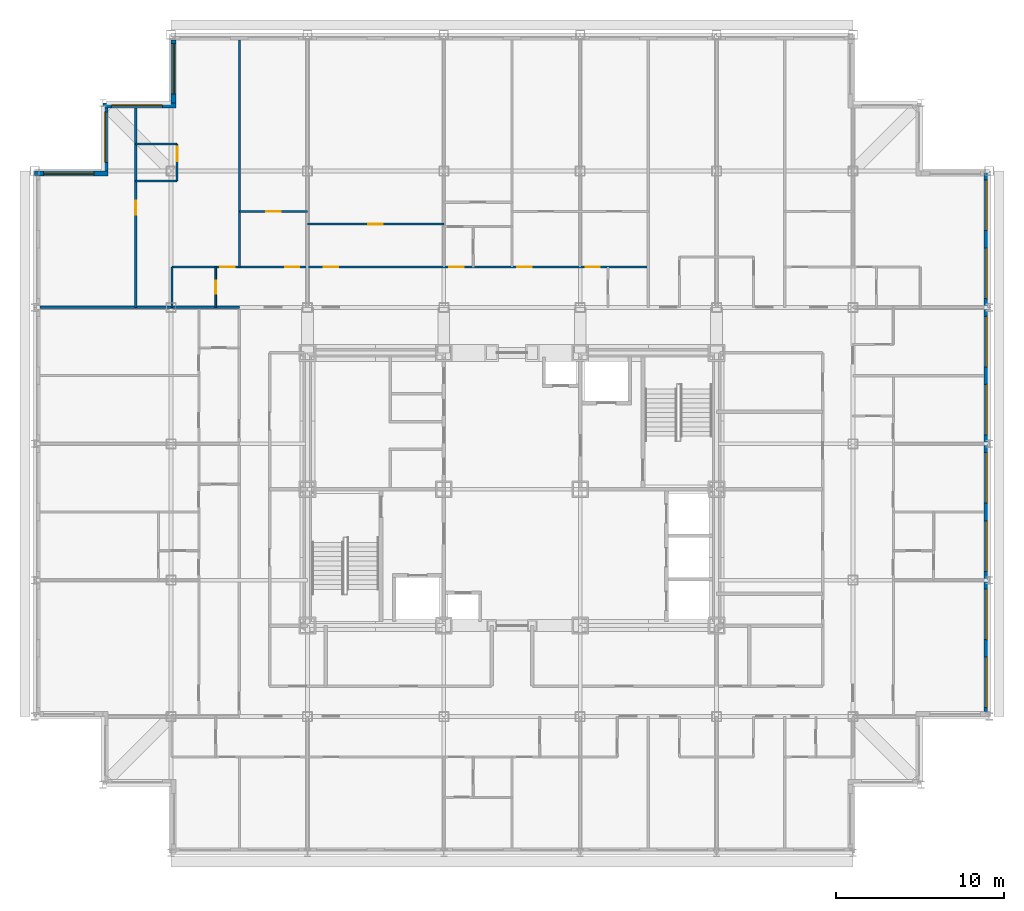
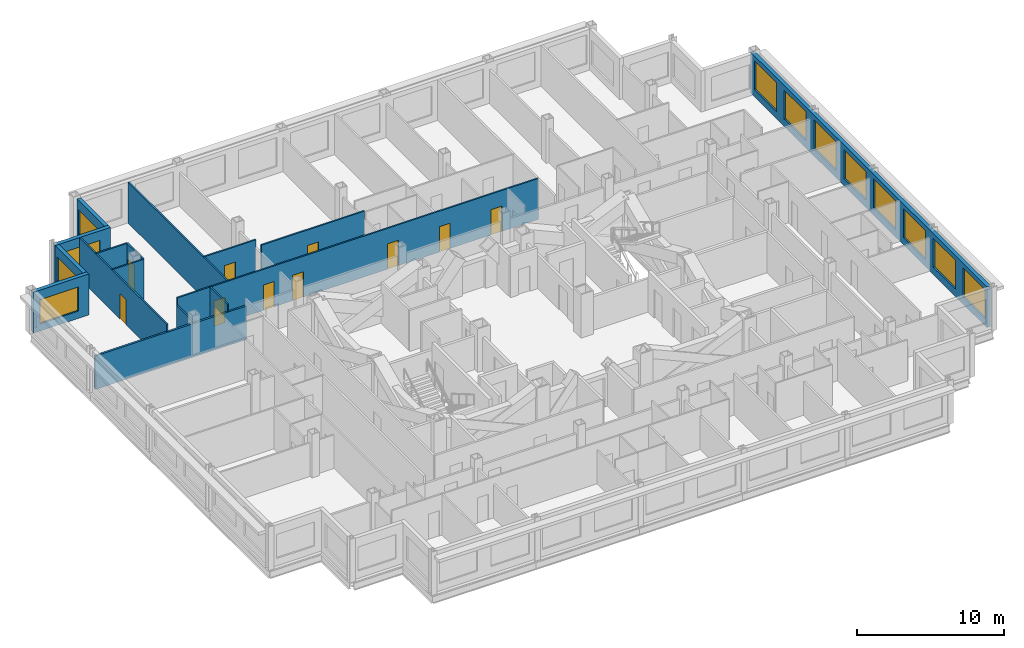
# One storey, part 9 of 12: 16 walls, 12 windows, 11 doors, 23 openings.
"""IFC4 building model written with IfcOpenShell, lengths in metres."""

import ifcopenshell
import ifcopenshell.guid

model = None  # the IFC model being written
_history = None  # IfcOwnerHistory: only IFC2X3 demands one
_inside = {}  # id of a spatial element -> (the spatial element, [elements in it])
_under = {}  # id of a project, library or spatial element -> (it, [spatial elements below it])
_declared = {}  # id of a project -> (the project, [libraries it declares])
_typed = {}  # id of a type object -> (the type object, [elements of that type])
_made_of = {}  # id of a material, layer set ... -> (it, [elements and type objects made of it])


def new_model(schema):
    """Start an empty IFC model of exactly this schema.

    Asked for "IFC4X3", IfcOpenShell would pick the latest addendum, in which some entities
    have other attributes; the version numbers below select the first issue.
    IFC2X3 requires an IfcOwnerHistory on every rooted entity: one is made here for all.
    """
    global model, _history
    if schema == "IFC4X3":
        model = ifcopenshell.file(schema_version=(4, 3, 0, 0))
    else:
        model = ifcopenshell.file(schema=schema)
    _inside.clear()
    _under.clear()
    _declared.clear()
    _typed.clear()
    _made_of.clear()
    _history = None
    if model.schema == "IFC2X3":
        org = make("IfcOrganization", Name="unknown")
        user = make(
            "IfcPersonAndOrganization",
            ThePerson=make("IfcPerson", FamilyName="unknown"),
            TheOrganization=org,
        )
        app = make(
            "IfcApplication",
            ApplicationDeveloper=org,
            Version="unknown",
            ApplicationFullName="unknown",
            ApplicationIdentifier="unknown",
        )
        _history = make(
            "IfcOwnerHistory",
            OwningUser=user,
            OwningApplication=app,
            ChangeAction="ADDED",
            CreationDate=0,
        )
    return model


def make(cls, **values):
    """One entity of the class cls with the attributes given. An attribute that is None is left unset."""
    return model.create_entity(
        cls, **{name: value for name, value in values.items() if value is not None}
    )


def rooted(cls, **values):
    """An entity with a GlobalId (a new one), such as an element, a storey or a relation."""
    return make(cls, GlobalId=ifcopenshell.guid.new(), OwnerHistory=_history, **values)


def si_unit(unit_type, name, prefix=None):
    """IfcSIUnit, for example si_unit("LENGTHUNIT", "METRE", prefix="MILLI")."""
    return make("IfcSIUnit", UnitType=unit_type, Prefix=prefix, Name=name)


def assignment(units):
    """IfcUnitAssignment: the units of a project."""
    return None if units is None else make("IfcUnitAssignment", Units=units)


def point(xyz):
    """IfcCartesianPoint."""
    return None if xyz is None else make("IfcCartesianPoint", Coordinates=xyz)


def direction(xyz):
    """IfcDirection."""
    return None if xyz is None else make("IfcDirection", DirectionRatios=xyz)


def frame(location, z_axis=None, x_axis=None):
    """IfcAxis2Placement3D, a coordinate frame: its origin and axes. An axis left out is left unset."""
    return make(
        "IfcAxis2Placement3D",
        Location=point(location),
        Axis=direction(z_axis),
        RefDirection=direction(x_axis),
    )


def frame_2d(location, x_axis=None):
    """IfcAxis2Placement2D, a coordinate frame in the plane: its origin and x axis."""
    return make(
        "IfcAxis2Placement2D", Location=point(location), RefDirection=direction(x_axis)
    )


def origin():
    """The frame at (0, 0, 0) with its axes left unset."""
    return frame((0.0, 0.0, 0.0))


def place(relative_to, where):
    """IfcLocalPlacement: puts the frame where relative to a parent placement (None: the world)."""
    return make(
        "IfcLocalPlacement", PlacementRelTo=relative_to, RelativePlacement=where
    )


def context(
    kind, dimensions, precision=None, world=None, true_north=None, identifier=None
):
    """IfcGeometricRepresentationContext, for example the 3D "Model" context."""
    return make(
        "IfcGeometricRepresentationContext",
        ContextIdentifier=identifier,
        ContextType=kind,
        CoordinateSpaceDimension=dimensions,
        Precision=precision,
        WorldCoordinateSystem=world,
        TrueNorth=true_north,
    )


def subcontext(parent, identifier, kind, view, scale=None):
    """IfcGeometricRepresentationSubContext, for example "Body" below "Model"."""
    return make(
        "IfcGeometricRepresentationSubContext",
        ContextIdentifier=identifier,
        ContextType=kind,
        ParentContext=parent,
        TargetScale=scale,
        TargetView=view,
    )


def project(units=None, contexts=None):
    """IfcProject with its units and contexts."""
    return rooted(
        "IfcProject",
        Name="project",
        RepresentationContexts=contexts,
        UnitsInContext=assignment(units),
    )


def spatial(cls, under=None, at=None, **own):
    """A site, building, storey or space (cls), placed at a placement, below another one or the project."""
    s = rooted(cls, ObjectPlacement=at, **own)
    if under is not None:
        _under.setdefault(under.id(), (under, []))[1].append(s)
    return s


def profile(cls, at=None, kind="AREA", **sizes):
    """A parametric profile (cls). Its sizes go by their IFC names, for example OverallWidth=200.0."""
    return make(cls, ProfileType=kind, Position=at, **sizes)


def rectangle(**sizes):
    """IfcRectangleProfileDef."""
    return profile("IfcRectangleProfileDef", **sizes)


def extrude(swept, where, along, depth):
    """IfcExtrudedAreaSolid: the profile swept, set in the frame where, extruded along a direction by depth."""
    return make(
        "IfcExtrudedAreaSolid",
        SweptArea=swept,
        Position=where,
        ExtrudedDirection=direction(along),
        Depth=depth,
    )


def shape(context_of_items, identifier, shape_type, items):
    """IfcShapeRepresentation: the items that make up one representation, for example the "Body"."""
    return make(
        "IfcShapeRepresentation",
        ContextOfItems=context_of_items,
        RepresentationIdentifier=identifier,
        RepresentationType=shape_type,
        Items=items,
    )


def material(Name=None, Category=None):
    """IfcMaterial."""
    return make("IfcMaterial", Name=Name, Category=Category)


def layer(
    of_material, thickness, ventilated=None, Name=None, Category=None, Priority=None
):
    """IfcMaterialLayer: one layer of a wall or slab, of a material (None: an air gap)."""
    return make(
        "IfcMaterialLayer",
        Material=of_material,
        LayerThickness=thickness,
        IsVentilated=ventilated,
        Name=Name,
        Category=Category,
        Priority=Priority,
    )


def layer_set(layers, Name=None):
    """IfcMaterialLayerSet."""
    return make("IfcMaterialLayerSet", MaterialLayers=layers, LayerSetName=Name)


def made_of(thing, what):
    """Note that an element or type object is made of a material, layer set ...; save() writes the relation."""
    if what is not None:
        _made_of.setdefault(what.id(), (what, []))[1].append(thing)
    return thing


def type_object(cls, material=None, **own):
    """A type object (cls), such as IfcWallType, which elements share."""
    return made_of(rooted(cls, **own), material)


def element(
    cls,
    number,
    at=None,
    inside=None,
    cuts=None,
    type_object=None,
    material=None,
    context=None,
    identifier="Body",
    shape_type=None,
    held_by="IfcProductDefinitionShape",
    body=None,
    shapes=None,
    **own,
):
    """One element of the class cls, such as IfcWall. Its Tag is "e" and its number.

    at: its placement. inside: the storey or other place that contains it. cuts: it is an
    opening in that element (IfcRelVoidsElement). A single representation is given by context,
    identifier, shape_type and body (its items); several are given by shapes. held_by: the class
    of the entity that holds the representations. save() writes the other relations.
    """
    e = rooted(cls, Tag="e%d" % number, ObjectPlacement=at, **own)
    if body is not None:
        shapes = [shape(context, identifier, shape_type, body)]
    if shapes is not None:
        e.Representation = make(held_by, Representations=shapes)
    if inside is not None:
        _inside.setdefault(inside.id(), (inside, []))[1].append(e)
    if cuts is not None:
        rooted(
            "IfcRelVoidsElement", RelatingBuildingElement=cuts, RelatedOpeningElement=e
        )
    if type_object is not None:
        _typed.setdefault(type_object.id(), (type_object, []))[1].append(e)
    return made_of(e, material)


def fill(opening, filler):
    """IfcRelFillsElement: the door or window that sits in an opening."""
    return rooted(
        "IfcRelFillsElement",
        RelatingOpeningElement=opening,
        RelatedBuildingElement=filler,
    )


def aggregate(whole, parts):
    """IfcRelAggregates: a whole, such as a stair, and the parts it consists of."""
    return rooted("IfcRelAggregates", RelatingObject=whole, RelatedObjects=parts)


def save(model, path):
    """Write the relations noted so far, then the file.

    IfcRelAggregates (storeys below a building ...), IfcRelContainedInSpatialStructure (elements
    in a storey), IfcRelDefinesByType, IfcRelAssociatesMaterial and IfcRelDeclares: one each for
    every whole, place, type object, material and project.
    """
    for whole, parts in _under.values():
        aggregate(whole, parts)
    for where, things in _inside.values():
        rooted(
            "IfcRelContainedInSpatialStructure",
            RelatedElements=things,
            RelatingStructure=where,
        )
    for kind, things in _typed.values():
        rooted("IfcRelDefinesByType", RelatedObjects=things, RelatingType=kind)
    for what, things in _made_of.values():
        rooted("IfcRelAssociatesMaterial", RelatedObjects=things, RelatingMaterial=what)
    for by, libraries in _declared.values():
        rooted("IfcRelDeclares", RelatingContext=by, RelatedDefinitions=libraries)
    model.write(path)


model = new_model("IFC4")

# Units and contexts
model_context = context("Model", 3, precision=1e-05, world=origin(), true_north=direction((0.0, 1.0)))
body_context = subcontext(model_context, "Body", "Model", "MODEL_VIEW")
ifc_project = project(units=[si_unit("LENGTHUNIT", "METRE"), si_unit("AREAUNIT", "SQUARE_METRE"), si_unit("VOLUMEUNIT", "CUBIC_METRE"), si_unit("PLANEANGLEUNIT", "RADIAN"), si_unit("MASSUNIT", "GRAM", prefix="KILO")], contexts=[model_context])

# Site, building, storey
site_placement = place(None, origin())
site = spatial("IfcSite", under=ifc_project, at=site_placement, CompositionType="ELEMENT")
building_placement = place(site_placement, origin())
building = spatial("IfcBuilding", under=site, at=building_placement, Name="Kopane Lantern Tower", CompositionType="ELEMENT")
storey_placement = place(building_placement, frame((0.0, 0.0, 217.199951171875)))
storey = spatial("IfcBuildingStorey", under=building, at=storey_placement, Name="L56", CompositionType="ELEMENT", Elevation=217.199951171875)

# Wall, openings, doors
ifc_material_1 = material(Name="Gypsum board on steel studs", Category="steel")
ifc_layer_1 = layer(ifc_material_1, 0.1201171875)
ifc_layer_set_1 = layer_set([ifc_layer_1], Name="APARTMENT INTERNAL WALL 120")
wall_type_1 = type_object("IfcWallType", Name="APARTMENT INTERNAL WALL 120", PredefinedType="PARTITIONING", material=ifc_layer_set_1)
wall_1_placement = place(storey_placement, frame((8.14990234375, 45.60009765625, 0.0), z_axis=(0.0, 0.0, 1.0), x_axis=(1.0, 0.0, 0.0)))
wall_1 = element("IfcWall", 1, at=wall_1_placement, inside=storey, type_object=wall_type_1, Name="Apartment Internal Wall 120 L56", PredefinedType="PARTITIONING", context=body_context, shape_type="SweptSolid", body=[
    extrude(rectangle(XDim=28.300048828125, YDim=0.1201171875, at=frame_2d((14.14990234375, 0.0))), origin(), (0.0, 0.0, 1.0), 3.39013671875),
])
opening_1_placement = place(wall_1_placement, frame((9.02490234375, 0.0, 0.0)))
opening_1 = element("IfcOpeningElement", 2, at=opening_1_placement, cuts=wall_1, Name="Opening L56-026", PredefinedType="OPENING", context=body_context, shape_type="SweptSolid", body=[
    extrude(rectangle(XDim=0.85009765625, YDim=2.10009765625, at=frame_2d((0.425048828125, 1.050048828125))), frame((0.0, 0.070068359375, 0.0), z_axis=(0.0, -1.0, 0.0), x_axis=(1.0, 0.0, 0.0)), (0.0, 0.0, 1.0), 0.14013671875),
])
opening_2_placement = place(wall_1_placement, frame((16.47509765625, 0.0, 0.0)))
opening_2 = element("IfcOpeningElement", 3, at=opening_2_placement, cuts=wall_1, Name="Opening L56-028", PredefinedType="OPENING", context=body_context, shape_type="SweptSolid", body=[
    extrude(rectangle(XDim=0.85009765625, YDim=2.10009765625, at=frame_2d((0.425048828125, 1.050048828125))), frame((0.0, 0.070068359375, 0.0), z_axis=(0.0, -1.0, 0.0), x_axis=(1.0, 0.0, 0.0)), (0.0, 0.0, 1.0), 0.14013671875),
])
opening_3_placement = place(wall_1_placement, frame((20.52490234375, 0.0, 0.0)))
opening_3 = element("IfcOpeningElement", 4, at=opening_3_placement, cuts=wall_1, Name="Opening L56-029", PredefinedType="OPENING", context=body_context, shape_type="SweptSolid", body=[
    extrude(rectangle(XDim=0.85009765625, YDim=2.10009765625, at=frame_2d((0.425048828125, 1.050048828125))), frame((0.0, 0.070068359375, 0.0), z_axis=(0.0, -1.0, 0.0), x_axis=(1.0, 0.0, 0.0)), (0.0, 0.0, 1.0), 0.14013671875),
])
opening_4_placement = place(wall_1_placement, frame((24.574951171875, 0.0, 0.0)))
opening_4 = element("IfcOpeningElement", 5, at=opening_4_placement, cuts=wall_1, Name="Opening L56-030", PredefinedType="OPENING", context=body_context, shape_type="SweptSolid", body=[
    extrude(rectangle(XDim=0.85009765625, YDim=2.10009765625, at=frame_2d((0.425048828125, 1.050048828125))), frame((0.0, 0.070068359375, 0.0), z_axis=(0.0, -1.0, 0.0), x_axis=(1.0, 0.0, 0.0)), (0.0, 0.0, 1.0), 0.14013671875),
])
opening_5_placement = place(wall_1_placement, frame((6.72509765625, 0.0, 0.0)))
opening_5 = element("IfcOpeningElement", 6, at=opening_5_placement, cuts=wall_1, Name="Opening L56-066", PredefinedType="OPENING", context=body_context, shape_type="SweptSolid", body=[
    extrude(rectangle(XDim=0.85009765625, YDim=2.10009765625, at=frame_2d((0.425048828125, 1.050048828125))), frame((0.0, 0.070068359375, 0.0), z_axis=(0.0, -1.0, 0.0), x_axis=(1.0, 0.0, 0.0)), (0.0, 0.0, 1.0), 0.14013671875),
])
opening_6_placement = place(wall_1_placement, frame((2.875, 0.0, 0.0)))
opening_6 = element("IfcOpeningElement", 7, at=opening_6_placement, cuts=wall_1, Name="Opening L56-068", PredefinedType="OPENING", context=body_context, shape_type="SweptSolid", body=[
    extrude(rectangle(XDim=0.85009765625, YDim=2.10009765625, at=frame_2d((0.425048828125, 1.050048828125))), frame((0.0, 0.070068359375, 0.0), z_axis=(0.0, -1.0, 0.0), x_axis=(1.0, 0.0, 0.0)), (0.0, 0.0, 1.0), 0.14013671875),
])
ifc_material_2 = material(Name="Timber door set", Category="wood")
door_type_1 = type_object("IfcDoorType", Name="DOOR D4 850x2100", OperationType="SINGLE_SWING_LEFT", PredefinedType="DOOR", material=ifc_material_2)
door_1_placement = place(opening_1_placement, origin())
door_1 = element("IfcDoor", 8, at=door_1_placement, inside=storey, type_object=door_type_1, Name="Door L56-026", OperationType="SINGLE_SWING_LEFT", OverallHeight=2.10009765625, OverallWidth=0.85009765625, PredefinedType="DOOR", context=body_context, shape_type="SweptSolid", body=[
    extrude(rectangle(XDim=0.85009765625, YDim=2.10009765625, at=frame_2d((0.425048828125, 1.050048828125))), frame((0.0, 0.02490234375, 0.0), z_axis=(0.0, -1.0, 0.0), x_axis=(1.0, 0.0, 0.0)), (0.0, 0.0, 1.0), 0.050048828125),
])
fill(opening_1, door_1)
door_2_placement = place(opening_2_placement, origin())
door_2 = element("IfcDoor", 9, at=door_2_placement, inside=storey, type_object=door_type_1, Name="Door L56-028", OperationType="SINGLE_SWING_LEFT", OverallHeight=2.10009765625, OverallWidth=0.85009765625, PredefinedType="DOOR", context=body_context, shape_type="SweptSolid", body=[
    extrude(rectangle(XDim=0.85009765625, YDim=2.10009765625, at=frame_2d((0.425048828125, 1.050048828125))), frame((0.0, 0.02490234375, 0.0), z_axis=(0.0, -1.0, 0.0), x_axis=(1.0, 0.0, 0.0)), (0.0, 0.0, 1.0), 0.050048828125),
])
fill(opening_2, door_2)
door_3_placement = place(opening_3_placement, origin())
door_3 = element("IfcDoor", 10, at=door_3_placement, inside=storey, type_object=door_type_1, Name="Door L56-029", OperationType="SINGLE_SWING_LEFT", OverallHeight=2.10009765625, OverallWidth=0.85009765625, PredefinedType="DOOR", context=body_context, shape_type="SweptSolid", body=[
    extrude(rectangle(XDim=0.85009765625, YDim=2.10009765625, at=frame_2d((0.425048828125, 1.050048828125))), frame((0.0, 0.02490234375, 0.0), z_axis=(0.0, -1.0, 0.0), x_axis=(1.0, 0.0, 0.0)), (0.0, 0.0, 1.0), 0.050048828125),
])
fill(opening_3, door_3)
door_4_placement = place(opening_4_placement, origin())
door_4 = element("IfcDoor", 11, at=door_4_placement, inside=storey, type_object=door_type_1, Name="Door L56-030", OperationType="SINGLE_SWING_LEFT", OverallHeight=2.10009765625, OverallWidth=0.85009765625, PredefinedType="DOOR", context=body_context, shape_type="SweptSolid", body=[
    extrude(rectangle(XDim=0.85009765625, YDim=2.10009765625, at=frame_2d((0.425048828125, 1.050048828125))), frame((0.0, 0.02490234375, 0.0), z_axis=(0.0, -1.0, 0.0), x_axis=(1.0, 0.0, 0.0)), (0.0, 0.0, 1.0), 0.050048828125),
])
fill(opening_4, door_4)
door_5_placement = place(opening_5_placement, origin())
door_5 = element("IfcDoor", 12, at=door_5_placement, inside=storey, type_object=door_type_1, Name="Door L56-066", OperationType="SINGLE_SWING_LEFT", OverallHeight=2.10009765625, OverallWidth=0.85009765625, PredefinedType="DOOR", context=body_context, shape_type="SweptSolid", body=[
    extrude(rectangle(XDim=0.85009765625, YDim=2.10009765625, at=frame_2d((0.425048828125, 1.050048828125))), frame((0.0, 0.02490234375, 0.0), z_axis=(0.0, -1.0, 0.0), x_axis=(1.0, 0.0, 0.0)), (0.0, 0.0, 1.0), 0.050048828125),
])
fill(opening_5, door_5)
door_6_placement = place(opening_6_placement, origin())
door_6 = element("IfcDoor", 13, at=door_6_placement, inside=storey, type_object=door_type_1, Name="Door L56-068", OperationType="SINGLE_SWING_RIGHT", OverallHeight=2.10009765625, OverallWidth=0.85009765625, PredefinedType="DOOR", context=body_context, shape_type="SweptSolid", body=[
    extrude(rectangle(XDim=0.85009765625, YDim=2.10009765625, at=frame_2d((0.425048828125, 1.050048828125))), frame((0.0, 0.02490234375, 0.0), z_axis=(0.0, -1.0, 0.0), x_axis=(1.0, 0.0, 0.0)), (0.0, 0.0, 1.0), 0.050048828125),
])
fill(opening_6, door_6)

# Wall
wall_2_placement = place(storey_placement, frame((12.14990234375, 45.60009765625, 0.0), z_axis=(0.0, 0.0, 1.0), x_axis=(0.0, 1.0, 0.0)))
element("IfcWall", 14, at=wall_2_placement, inside=storey, type_object=wall_type_1, Name="Apartment Internal Wall 120 L56", PredefinedType="PARTITIONING", context=body_context, shape_type="SweptSolid", body=[
    extrude(rectangle(XDim=13.5, YDim=0.1201171875, at=frame_2d((6.75, 0.0))), origin(), (0.0, 0.0, 1.0), 3.39013671875),
])

# Wall, opening, door
wall_3_placement = place(storey_placement, frame((16.199951171875, 48.14990234375, 0.0), z_axis=(0.0, 0.0, 1.0), x_axis=(1.0, 0.0, 0.0)))
wall_3 = element("IfcWall", 15, at=wall_3_placement, inside=storey, type_object=wall_type_1, Name="Apartment Internal Wall 120 L56", PredefinedType="PARTITIONING", context=body_context, shape_type="SweptSolid", body=[
    extrude(rectangle(XDim=8.10009765625, YDim=0.1201171875, at=frame_2d((4.050048828125, 0.0))), origin(), (0.0, 0.0, 1.0), 3.39013671875),
])
opening_7_placement = place(wall_3_placement, frame((3.625, 0.0, 0.0)))
opening_7 = element("IfcOpeningElement", 16, at=opening_7_placement, cuts=wall_3, Name="Opening L56-073", PredefinedType="OPENING", context=body_context, shape_type="SweptSolid", body=[
    extrude(rectangle(XDim=0.85009765625, YDim=2.10009765625, at=frame_2d((0.425048828125, 1.050048828125))), frame((0.0, 0.070068359375, 0.0), z_axis=(0.0, -1.0, 0.0), x_axis=(1.0, 0.0, 0.0)), (0.0, 0.0, 1.0), 0.14013671875),
])
door_7_placement = place(opening_7_placement, origin())
door_7 = element("IfcDoor", 17, at=door_7_placement, inside=storey, type_object=door_type_1, Name="Door L56-073", OperationType="SINGLE_SWING_LEFT", OverallHeight=2.10009765625, OverallWidth=0.85009765625, PredefinedType="DOOR", context=body_context, shape_type="SweptSolid", body=[
    extrude(rectangle(XDim=0.85009765625, YDim=2.10009765625, at=frame_2d((0.425048828125, 1.050048828125))), frame((0.0, 0.02490234375, 0.0), z_axis=(0.0, -1.0, 0.0), x_axis=(1.0, 0.0, 0.0)), (0.0, 0.0, 1.0), 0.050048828125),
])
fill(opening_7, door_7)

wall_4_placement = place(storey_placement, frame((12.14990234375, 48.89990234375, 0.0), z_axis=(0.0, 0.0, 1.0), x_axis=(1.0, 0.0, 0.0)))
wall_4 = element("IfcWall", 18, at=wall_4_placement, inside=storey, type_object=wall_type_1, Name="Apartment Internal Wall 120 L56", PredefinedType="PARTITIONING", context=body_context, shape_type="SweptSolid", body=[
    extrude(rectangle(XDim=4.050048828125, YDim=0.1201171875, at=frame_2d((2.02490234375, 0.0))), origin(), (0.0, 0.0, 1.0), 3.39013671875),
])
opening_8_placement = place(wall_4_placement, frame((1.60009765625, 0.0, 0.0)))
opening_8 = element("IfcOpeningElement", 19, at=opening_8_placement, cuts=wall_4, Name="Opening L56-078", PredefinedType="OPENING", context=body_context, shape_type="SweptSolid", body=[
    extrude(rectangle(XDim=0.85009765625, YDim=2.10009765625, at=frame_2d((0.425048828125, 1.050048828125))), frame((0.0, 0.070068359375, 0.0), z_axis=(0.0, -1.0, 0.0), x_axis=(1.0, 0.0, 0.0)), (0.0, 0.0, 1.0), 0.14013671875),
])
door_8_placement = place(opening_8_placement, origin())
door_8 = element("IfcDoor", 20, at=door_8_placement, inside=storey, type_object=door_type_1, Name="Door L56-078", OperationType="SINGLE_SWING_RIGHT", OverallHeight=2.10009765625, OverallWidth=0.85009765625, PredefinedType="DOOR", context=body_context, shape_type="SweptSolid", body=[
    extrude(rectangle(XDim=0.85009765625, YDim=2.10009765625, at=frame_2d((0.425048828125, 1.050048828125))), frame((0.0, 0.02490234375, 0.0), z_axis=(0.0, -1.0, 0.0), x_axis=(1.0, 0.0, 0.0)), (0.0, 0.0, 1.0), 0.050048828125),
])
fill(opening_8, door_8)

wall_5_placement = place(storey_placement, frame((6.0, 43.199951171875, 0.0), z_axis=(0.0, 0.0, 1.0), x_axis=(0.0, 1.0, 0.0)))
wall_5 = element("IfcWall", 21, at=wall_5_placement, inside=storey, type_object=wall_type_1, Name="Apartment Internal Wall 120 L56", PredefinedType="PARTITIONING", context=body_context, shape_type="SweptSolid", body=[
    extrude(rectangle(XDim=11.85009765625, YDim=0.1201171875, at=frame_2d((5.925048828125, 0.0))), origin(), (0.0, 0.0, 1.0), 3.39013671875),
])
opening_9_placement = place(wall_5_placement, frame((5.5, 0.0, 0.0)))
opening_9 = element("IfcOpeningElement", 22, at=opening_9_placement, cuts=wall_5, Name="Opening L56-079", PredefinedType="OPENING", context=body_context, shape_type="SweptSolid", body=[
    extrude(rectangle(XDim=0.85009765625, YDim=2.10009765625, at=frame_2d((0.425048828125, 1.050048828125))), frame((0.0, 0.070068359375, 0.0), z_axis=(0.0, -1.0, 0.0), x_axis=(1.0, 0.0, 0.0)), (0.0, 0.0, 1.0), 0.14013671875),
])
door_9_placement = place(opening_9_placement, origin())
door_9 = element("IfcDoor", 23, at=door_9_placement, inside=storey, type_object=door_type_1, Name="Door L56-079", OperationType="SINGLE_SWING_LEFT", OverallHeight=2.10009765625, OverallWidth=0.85009765625, PredefinedType="DOOR", context=body_context, shape_type="SweptSolid", body=[
    extrude(rectangle(XDim=0.85009765625, YDim=2.10009765625, at=frame_2d((0.425048828125, 1.050048828125))), frame((0.0, 0.02490234375, 0.0), z_axis=(0.0, -1.0, 0.0), x_axis=(1.0, 0.0, 0.0)), (0.0, 0.0, 1.0), 0.050048828125),
])
fill(opening_9, door_9)

# Walls
for number, where, z_axis, x_axis, name in (
    (24, (6.0, 50.699951171875, 0.0), (0.0, 0.0, 1.0), (1.0, 0.0, 0.0), "Apartment Internal Wall 120 L56"),
    (25, (6.0, 52.89990234375, 0.0), (0.0, 0.0, 1.0), (1.0, 0.0, 0.0), "Apartment Internal Wall 120 L56"),
):
    element("IfcWall", number, at=place(storey_placement, frame(where, z_axis=z_axis, x_axis=x_axis)), inside=storey, type_object=wall_type_1, Name=name, PredefinedType="PARTITIONING", context=body_context, shape_type="SweptSolid", body=[
        extrude(rectangle(XDim=2.4599609375, YDim=0.1201171875, at=frame_2d((1.22998046875, 0.0))), origin(), (0.0, 0.0, 1.0), 3.39013671875),
    ])

# Wall, opening, door
wall_6_placement = place(storey_placement, frame((8.4599609375, 50.699951171875, 0.0), z_axis=(0.0, 0.0, 1.0), x_axis=(0.0, 1.0, 0.0)))
wall_6 = element("IfcWall", 26, at=wall_6_placement, inside=storey, type_object=wall_type_1, Name="Apartment Internal Wall 120 L56", PredefinedType="PARTITIONING", context=body_context, shape_type="SweptSolid", body=[
    extrude(rectangle(XDim=2.199951171875, YDim=0.1201171875, at=frame_2d((1.10009765625, 0.0))), origin(), (0.0, 0.0, 1.0), 3.39013671875),
])
opening_10_placement = place(wall_6_placement, frame((1.18994140625, 0.0, 0.0)))
opening_10 = element("IfcOpeningElement", 27, at=opening_10_placement, cuts=wall_6, Name="Opening L56-080", PredefinedType="OPENING", context=body_context, shape_type="SweptSolid", body=[
    extrude(rectangle(XDim=0.85009765625, YDim=2.10009765625, at=frame_2d((0.425048828125, 1.050048828125))), frame((0.0, 0.070068359375, 0.0), z_axis=(0.0, -1.0, 0.0), x_axis=(1.0, 0.0, 0.0)), (0.0, 0.0, 1.0), 0.14013671875),
])
door_10_placement = place(opening_10_placement, origin())
door_10 = element("IfcDoor", 28, at=door_10_placement, inside=storey, type_object=door_type_1, Name="Door L56-080", OperationType="SINGLE_SWING_RIGHT", OverallHeight=2.10009765625, OverallWidth=0.85009765625, PredefinedType="DOOR", context=body_context, shape_type="SweptSolid", body=[
    extrude(rectangle(XDim=0.85009765625, YDim=2.10009765625, at=frame_2d((0.425048828125, 1.050048828125))), frame((0.0, 0.02490234375, 0.0), z_axis=(0.0, -1.0, 0.0), x_axis=(1.0, 0.0, 0.0)), (0.0, 0.0, 1.0), 0.050048828125),
])
fill(opening_10, door_10)

ifc_material_3 = material(Name="Moisture-resistant board on steel studs", Category="steel")
ifc_layer_2 = layer(ifc_material_3, 0.10009765625)
ifc_layer_set_2 = layer_set([ifc_layer_2], Name="BATHROOM WALL 100")
wall_type_2 = type_object("IfcWallType", Name="BATHROOM WALL 100", PredefinedType="PARTITIONING", material=ifc_layer_set_2)
wall_7_placement = place(storey_placement, frame((10.75, 43.199951171875, 0.0), z_axis=(0.0, 0.0, 1.0), x_axis=(0.0, 1.0, 0.0)))
wall_7 = element("IfcWall", 29, at=wall_7_placement, inside=storey, type_object=wall_type_2, Name="Bathroom Wall 100 L56", PredefinedType="PARTITIONING", context=body_context, shape_type="SweptSolid", body=[
    extrude(rectangle(XDim=2.400146484375, YDim=0.10009765625, at=frame_2d((1.2001953125, 0.0))), origin(), (0.0, 0.0, 1.0), 3.39013671875),
])
opening_11_placement = place(wall_7_placement, frame((0.800048828125, 0.0, 0.0)))
opening_11 = element("IfcOpeningElement", 30, at=opening_11_placement, cuts=wall_7, Name="Opening L56-067", PredefinedType="OPENING", context=body_context, shape_type="SweptSolid", body=[
    extrude(rectangle(XDim=0.800048828125, YDim=2.10009765625, at=frame_2d((0.39990234375, 1.050048828125))), frame((0.0, 0.06005859375, 0.0), z_axis=(0.0, -1.0, 0.0), x_axis=(1.0, 0.0, 0.0)), (0.0, 0.0, 1.0), 0.1201171875),
])
ifc_material_4 = material(Name="Timber door set", Category="wood")
door_type_2 = type_object("IfcDoorType", Name="DOOR D2 800x2100", OperationType="SINGLE_SWING_LEFT", PredefinedType="DOOR", material=ifc_material_4)
door_11_placement = place(opening_11_placement, origin())
door_11 = element("IfcDoor", 31, at=door_11_placement, inside=storey, type_object=door_type_2, Name="Door L56-067", OperationType="SINGLE_SWING_LEFT", OverallHeight=2.10009765625, OverallWidth=0.800048828125, PredefinedType="DOOR", context=body_context, shape_type="SweptSolid", body=[
    extrude(rectangle(XDim=0.800048828125, YDim=2.10009765625, at=frame_2d((0.39990234375, 1.050048828125))), frame((0.0, 0.02490234375, 0.0), z_axis=(0.0, -1.0, 0.0), x_axis=(1.0, 0.0, 0.0)), (0.0, 0.0, 1.0), 0.050048828125),
])
fill(opening_11, door_11)

# Walls
wall_8_placement = place(storey_placement, frame((8.14990234375, 43.199951171875, 0.0), z_axis=(0.0, 0.0, 1.0), x_axis=(0.0, 1.0, 0.0)))
element("IfcWall", 32, at=wall_8_placement, inside=storey, type_object=wall_type_2, Name="Bathroom Wall 100 L56", PredefinedType="PARTITIONING", context=body_context, shape_type="SweptSolid", body=[
    extrude(rectangle(XDim=2.400146484375, YDim=0.10009765625, at=frame_2d((1.2001953125, 0.0))), origin(), (0.0, 0.0, 1.0), 2.77783203125),
])
ifc_material_5 = material(Name="Gypsum board on steel studs", Category="steel")
ifc_layer_3 = layer(ifc_material_5, 0.14990234375)
ifc_layer_set_3 = layer_set([ifc_layer_3], Name="DEMISING WALL 150 EI 60")
wall_type_3 = type_object("IfcWallType", Name="DEMISING WALL 150 EI 60", PredefinedType="PARTITIONING", material=ifc_layer_set_3)
wall_9_placement = place(storey_placement, frame((0.300048828125, 43.199951171875, 0.0), z_axis=(0.0, 0.0, 1.0), x_axis=(1.0, 0.0, 0.0)))
element("IfcWall", 33, at=wall_9_placement, inside=storey, type_object=wall_type_3, Name="Demising Wall 150 Ei 60 L56", PredefinedType="PARTITIONING", context=body_context, shape_type="SweptSolid", body=[
    extrude(rectangle(XDim=11.849853515625, YDim=0.14990234375, at=frame_2d((5.9248046875, 0.0))), origin(), (0.0, 0.0, 1.0), 2.77783203125),
])

# Wall, openings, windows
ifc_material_6 = material(Name="Terracotta rainscreen on light steel framing", Category="masonry")
ifc_layer_4 = layer(ifc_material_6, 0.300048828125)
ifc_layer_set_4 = layer_set([ifc_layer_4], Name="EXTERNAL WALL EW1 300 TERRACOTTA")
wall_type_4 = type_object("IfcWallType", Name="EXTERNAL WALL EW1 300 TERRACOTTA", PredefinedType="SOLIDWALL", material=ifc_layer_set_4)
wall_10_placement = place(storey_placement, frame((56.550048828125, 19.199951171875, 0.0), z_axis=(0.0, 0.0, 1.0), x_axis=(0.0, 1.0, 0.0)))
wall_10 = element("IfcWall", 34, at=wall_10_placement, inside=storey, type_object=wall_type_4, Name="External wall E L56", PredefinedType="SOLIDWALL", context=body_context, shape_type="SweptSolid", body=[
    extrude(rectangle(XDim=32.10009765625, YDim=0.300048828125, at=frame_2d((16.050048828125, 0.0))), origin(), (0.0, 0.0, 1.0), 3.39013671875),
])
opening_12_placement = place(wall_10_placement, frame((0.22509765625, 0.0, 0.60009765625)))
opening_12 = element("IfcOpeningElement", 35, at=opening_12_placement, cuts=wall_10, Name="Opening WR300240", PredefinedType="OPENING", context=body_context, shape_type="SweptSolid", body=[
    extrude(rectangle(XDim=3.0, YDim=2.39990234375, at=frame_2d((1.5, 1.199951171875))), frame((0.0, 0.159912109375, 0.0), z_axis=(0.0, -1.0, 0.0), x_axis=(1.0, 0.0, 0.0)), (0.0, 0.0, 1.0), 0.320068359375),
])
opening_13_placement = place(wall_10_placement, frame((4.27490234375, 0.0, 0.60009765625)))
opening_13 = element("IfcOpeningElement", 36, at=opening_13_placement, cuts=wall_10, Name="Opening WR300240", PredefinedType="OPENING", context=body_context, shape_type="SweptSolid", body=[
    extrude(rectangle(XDim=3.0, YDim=2.39990234375, at=frame_2d((1.5, 1.199951171875))), frame((0.0, 0.159912109375, 0.0), z_axis=(0.0, -1.0, 0.0), x_axis=(1.0, 0.0, 0.0)), (0.0, 0.0, 1.0), 0.320068359375),
])
opening_14_placement = place(wall_10_placement, frame((8.324951171875, 0.0, 0.60009765625)))
opening_14 = element("IfcOpeningElement", 37, at=opening_14_placement, cuts=wall_10, Name="Opening WR300240", PredefinedType="OPENING", context=body_context, shape_type="SweptSolid", body=[
    extrude(rectangle(XDim=3.0, YDim=2.39990234375, at=frame_2d((1.5, 1.199951171875))), frame((0.0, 0.159912109375, 0.0), z_axis=(0.0, -1.0, 0.0), x_axis=(1.0, 0.0, 0.0)), (0.0, 0.0, 1.0), 0.320068359375),
])
opening_15_placement = place(wall_10_placement, frame((12.375, 0.0, 0.60009765625)))
opening_15 = element("IfcOpeningElement", 38, at=opening_15_placement, cuts=wall_10, Name="Opening WR300240", PredefinedType="OPENING", context=body_context, shape_type="SweptSolid", body=[
    extrude(rectangle(XDim=3.0, YDim=2.39990234375, at=frame_2d((1.5, 1.199951171875))), frame((0.0, 0.159912109375, 0.0), z_axis=(0.0, -1.0, 0.0), x_axis=(1.0, 0.0, 0.0)), (0.0, 0.0, 1.0), 0.320068359375),
])
opening_16_placement = place(wall_10_placement, frame((16.425048828125, 0.0, 0.60009765625)))
opening_16 = element("IfcOpeningElement", 39, at=opening_16_placement, cuts=wall_10, Name="Opening WR300240", PredefinedType="OPENING", context=body_context, shape_type="SweptSolid", body=[
    extrude(rectangle(XDim=3.0, YDim=2.39990234375, at=frame_2d((1.5, 1.199951171875))), frame((0.0, 0.159912109375, 0.0), z_axis=(0.0, -1.0, 0.0), x_axis=(1.0, 0.0, 0.0)), (0.0, 0.0, 1.0), 0.320068359375),
])
opening_17_placement = place(wall_10_placement, frame((20.47509765625, 0.0, 0.60009765625)))
opening_17 = element("IfcOpeningElement", 40, at=opening_17_placement, cuts=wall_10, Name="Opening WR300240", PredefinedType="OPENING", context=body_context, shape_type="SweptSolid", body=[
    extrude(rectangle(XDim=3.0, YDim=2.39990234375, at=frame_2d((1.5, 1.199951171875))), frame((0.0, 0.159912109375, 0.0), z_axis=(0.0, -1.0, 0.0), x_axis=(1.0, 0.0, 0.0)), (0.0, 0.0, 1.0), 0.320068359375),
])
opening_18_placement = place(wall_10_placement, frame((24.52490234375, 0.0, 0.60009765625)))
opening_18 = element("IfcOpeningElement", 41, at=opening_18_placement, cuts=wall_10, Name="Opening WR300240", PredefinedType="OPENING", context=body_context, shape_type="SweptSolid", body=[
    extrude(rectangle(XDim=3.0, YDim=2.39990234375, at=frame_2d((1.5, 1.199951171875))), frame((0.0, 0.159912109375, 0.0), z_axis=(0.0, -1.0, 0.0), x_axis=(1.0, 0.0, 0.0)), (0.0, 0.0, 1.0), 0.320068359375),
])
opening_19_placement = place(wall_10_placement, frame((28.574951171875, 0.0, 0.60009765625)))
opening_19 = element("IfcOpeningElement", 42, at=opening_19_placement, cuts=wall_10, Name="Opening WR300240", PredefinedType="OPENING", context=body_context, shape_type="SweptSolid", body=[
    extrude(rectangle(XDim=3.0, YDim=2.39990234375, at=frame_2d((1.5, 1.199951171875))), frame((0.0, 0.159912109375, 0.0), z_axis=(0.0, -1.0, 0.0), x_axis=(1.0, 0.0, 0.0)), (0.0, 0.0, 1.0), 0.320068359375),
])
ifc_material_7 = material(Name="Aluminium and clear glass", Category="aluminium")
window_type_1 = type_object("IfcWindowType", Name="RIBBON WINDOW WR300240 3000x2400", PartitioningType="SINGLE_PANEL", PredefinedType="WINDOW", material=ifc_material_7)
window_1_placement = place(opening_12_placement, origin())
window_1 = element("IfcWindow", 43, at=window_1_placement, inside=storey, type_object=window_type_1, Name="Window E L56", OverallHeight=2.39990234375, OverallWidth=3.0, PartitioningType="SINGLE_PANEL", PredefinedType="WINDOW", context=body_context, shape_type="SweptSolid", body=[
    extrude(rectangle(XDim=3.0, YDim=2.39990234375, at=frame_2d((1.5, 1.199951171875))), frame((0.0, 0.030029296875, 0.0), z_axis=(0.0, -1.0, 0.0), x_axis=(1.0, 0.0, 0.0)), (0.0, 0.0, 1.0), 0.06005859375),
])
fill(opening_12, window_1)
window_2_placement = place(opening_13_placement, origin())
window_2 = element("IfcWindow", 44, at=window_2_placement, inside=storey, type_object=window_type_1, Name="Window E L56", OverallHeight=2.39990234375, OverallWidth=3.0, PartitioningType="SINGLE_PANEL", PredefinedType="WINDOW", context=body_context, shape_type="SweptSolid", body=[
    extrude(rectangle(XDim=3.0, YDim=2.39990234375, at=frame_2d((1.5, 1.199951171875))), frame((0.0, 0.030029296875, 0.0), z_axis=(0.0, -1.0, 0.0), x_axis=(1.0, 0.0, 0.0)), (0.0, 0.0, 1.0), 0.06005859375),
])
fill(opening_13, window_2)
window_3_placement = place(opening_14_placement, origin())
window_3 = element("IfcWindow", 45, at=window_3_placement, inside=storey, type_object=window_type_1, Name="Window E L56", OverallHeight=2.39990234375, OverallWidth=3.0, PartitioningType="SINGLE_PANEL", PredefinedType="WINDOW", context=body_context, shape_type="SweptSolid", body=[
    extrude(rectangle(XDim=3.0, YDim=2.39990234375, at=frame_2d((1.5, 1.199951171875))), frame((0.0, 0.030029296875, 0.0), z_axis=(0.0, -1.0, 0.0), x_axis=(1.0, 0.0, 0.0)), (0.0, 0.0, 1.0), 0.06005859375),
])
fill(opening_14, window_3)
window_4_placement = place(opening_15_placement, origin())
window_4 = element("IfcWindow", 46, at=window_4_placement, inside=storey, type_object=window_type_1, Name="Window E L56", OverallHeight=2.39990234375, OverallWidth=3.0, PartitioningType="SINGLE_PANEL", PredefinedType="WINDOW", context=body_context, shape_type="SweptSolid", body=[
    extrude(rectangle(XDim=3.0, YDim=2.39990234375, at=frame_2d((1.5, 1.199951171875))), frame((0.0, 0.030029296875, 0.0), z_axis=(0.0, -1.0, 0.0), x_axis=(1.0, 0.0, 0.0)), (0.0, 0.0, 1.0), 0.06005859375),
])
fill(opening_15, window_4)
window_5_placement = place(opening_16_placement, origin())
window_5 = element("IfcWindow", 47, at=window_5_placement, inside=storey, type_object=window_type_1, Name="Window E L56", OverallHeight=2.39990234375, OverallWidth=3.0, PartitioningType="SINGLE_PANEL", PredefinedType="WINDOW", context=body_context, shape_type="SweptSolid", body=[
    extrude(rectangle(XDim=3.0, YDim=2.39990234375, at=frame_2d((1.5, 1.199951171875))), frame((0.0, 0.030029296875, 0.0), z_axis=(0.0, -1.0, 0.0), x_axis=(1.0, 0.0, 0.0)), (0.0, 0.0, 1.0), 0.06005859375),
])
fill(opening_16, window_5)
window_6_placement = place(opening_17_placement, origin())
window_6 = element("IfcWindow", 48, at=window_6_placement, inside=storey, type_object=window_type_1, Name="Window E L56", OverallHeight=2.39990234375, OverallWidth=3.0, PartitioningType="SINGLE_PANEL", PredefinedType="WINDOW", context=body_context, shape_type="SweptSolid", body=[
    extrude(rectangle(XDim=3.0, YDim=2.39990234375, at=frame_2d((1.5, 1.199951171875))), frame((0.0, 0.030029296875, 0.0), z_axis=(0.0, -1.0, 0.0), x_axis=(1.0, 0.0, 0.0)), (0.0, 0.0, 1.0), 0.06005859375),
])
fill(opening_17, window_6)
window_7_placement = place(opening_18_placement, origin())
window_7 = element("IfcWindow", 49, at=window_7_placement, inside=storey, type_object=window_type_1, Name="Window E L56", OverallHeight=2.39990234375, OverallWidth=3.0, PartitioningType="SINGLE_PANEL", PredefinedType="WINDOW", context=body_context, shape_type="SweptSolid", body=[
    extrude(rectangle(XDim=3.0, YDim=2.39990234375, at=frame_2d((1.5, 1.199951171875))), frame((0.0, 0.030029296875, 0.0), z_axis=(0.0, -1.0, 0.0), x_axis=(1.0, 0.0, 0.0)), (0.0, 0.0, 1.0), 0.06005859375),
])
fill(opening_18, window_7)
window_8_placement = place(opening_19_placement, origin())
window_8 = element("IfcWindow", 50, at=window_8_placement, inside=storey, type_object=window_type_1, Name="Window E L56", OverallHeight=2.39990234375, OverallWidth=3.0, PartitioningType="SINGLE_PANEL", PredefinedType="WINDOW", context=body_context, shape_type="SweptSolid", body=[
    extrude(rectangle(XDim=3.0, YDim=2.39990234375, at=frame_2d((1.5, 1.199951171875))), frame((0.0, 0.030029296875, 0.0), z_axis=(0.0, -1.0, 0.0), x_axis=(1.0, 0.0, 0.0)), (0.0, 0.0, 1.0), 0.06005859375),
])
fill(opening_19, window_8)

# Wall, opening, window
wall_11_placement = place(storey_placement, frame((8.25, 59.10009765625, 0.0), z_axis=(0.0, 0.0, 1.0), x_axis=(0.0, -1.0, 0.0)))
wall_11 = element("IfcWall", 51, at=wall_11_placement, inside=storey, type_object=wall_type_4, Name="External wall W L56", PredefinedType="SOLIDWALL", context=body_context, shape_type="SweptSolid", body=[
    extrude(rectangle(XDim=3.75, YDim=0.300048828125, at=frame_2d((1.875, 0.0))), origin(), (0.0, 0.0, 1.0), 3.39013671875),
])
opening_20_placement = place(wall_11_placement, frame((0.22509765625, 0.0, 0.60009765625)))
opening_20 = element("IfcOpeningElement", 52, at=opening_20_placement, cuts=wall_11, Name="Opening WR300200", PredefinedType="OPENING", context=body_context, shape_type="SweptSolid", body=[
    extrude(rectangle(XDim=3.0, YDim=2.0, at=frame_2d((1.5, 1.0))), frame((0.0, 0.159912109375, 0.0), z_axis=(0.0, -1.0, 0.0), x_axis=(1.0, 0.0, 0.0)), (0.0, 0.0, 1.0), 0.320068359375),
])
ifc_material_8 = material(Name="Aluminium and clear glass", Category="aluminium")
window_type_2 = type_object("IfcWindowType", Name="RIBBON WINDOW WR300200 3000x2000", PartitioningType="SINGLE_PANEL", PredefinedType="WINDOW", material=ifc_material_8)
window_9_placement = place(opening_20_placement, origin())
window_9 = element("IfcWindow", 53, at=window_9_placement, inside=storey, type_object=window_type_2, Name="Window W L56", OverallHeight=2.0, OverallWidth=3.0, PartitioningType="SINGLE_PANEL", PredefinedType="WINDOW", context=body_context, shape_type="SweptSolid", body=[
    extrude(rectangle(XDim=3.0, YDim=2.0, at=frame_2d((1.5, 1.0))), frame((0.0, 0.030029296875, 0.0), z_axis=(0.0, -1.0, 0.0), x_axis=(1.0, 0.0, 0.0)), (0.0, 0.0, 1.0), 0.06005859375),
])
fill(opening_20, window_9)

wall_12_placement = place(storey_placement, frame((8.39990234375, 55.199951171875, 0.0), z_axis=(0.0, 0.0, 1.0), x_axis=(-1.0, 0.0, 0.0)))
wall_12 = element("IfcWall", 54, at=wall_12_placement, inside=storey, type_object=wall_type_4, Name="External wall N L56", PredefinedType="SOLIDWALL", context=body_context, shape_type="SweptSolid", body=[
    extrude(rectangle(XDim=4.349853515625, YDim=0.300048828125, at=frame_2d((2.1748046875, 0.0))), origin(), (0.0, 0.0, 1.0), 3.39013671875),
])
opening_21_placement = place(wall_12_placement, frame((0.824951171875, 0.0, 0.60009765625)))
opening_21 = element("IfcOpeningElement", 55, at=opening_21_placement, cuts=wall_12, Name="Opening WR300200", PredefinedType="OPENING", context=body_context, shape_type="SweptSolid", body=[
    extrude(rectangle(XDim=3.0, YDim=2.0, at=frame_2d((1.5, 1.0))), frame((0.0, 0.159912109375, 0.0), z_axis=(0.0, -1.0, 0.0), x_axis=(1.0, 0.0, 0.0)), (0.0, 0.0, 1.0), 0.320068359375),
])
window_10_placement = place(opening_21_placement, origin())
window_10 = element("IfcWindow", 56, at=window_10_placement, inside=storey, type_object=window_type_2, Name="Window N L56", OverallHeight=2.0, OverallWidth=3.0, PartitioningType="SINGLE_PANEL", PredefinedType="WINDOW", context=body_context, shape_type="SweptSolid", body=[
    extrude(rectangle(XDim=3.0, YDim=2.0, at=frame_2d((1.5, 1.0))), frame((0.0, 0.030029296875, 0.0), z_axis=(0.0, -1.0, 0.0), x_axis=(1.0, 0.0, 0.0)), (0.0, 0.0, 1.0), 0.06005859375),
])
fill(opening_21, window_10)

wall_13_placement = place(storey_placement, frame((4.199951171875, 55.050048828125, 0.0), z_axis=(0.0, 0.0, 1.0), x_axis=(0.0, -1.0, 0.0)))
wall_13 = element("IfcWall", 57, at=wall_13_placement, inside=storey, type_object=wall_type_4, Name="External wall W L56", PredefinedType="SOLIDWALL", context=body_context, shape_type="SweptSolid", body=[
    extrude(rectangle(XDim=3.75, YDim=0.300048828125, at=frame_2d((1.875, 0.0))), origin(), (0.0, 0.0, 1.0), 3.39013671875),
])
opening_22_placement = place(wall_13_placement, frame((0.22509765625, 0.0, 0.60009765625)))
opening_22 = element("IfcOpeningElement", 58, at=opening_22_placement, cuts=wall_13, Name="Opening WR300200", PredefinedType="OPENING", context=body_context, shape_type="SweptSolid", body=[
    extrude(rectangle(XDim=3.0, YDim=2.0, at=frame_2d((1.5, 1.0))), frame((0.0, 0.159912109375, 0.0), z_axis=(0.0, -1.0, 0.0), x_axis=(1.0, 0.0, 0.0)), (0.0, 0.0, 1.0), 0.320068359375),
])
window_11_placement = place(opening_22_placement, origin())
window_11 = element("IfcWindow", 59, at=window_11_placement, inside=storey, type_object=window_type_2, Name="Window W L56", OverallHeight=2.0, OverallWidth=3.0, PartitioningType="SINGLE_PANEL", PredefinedType="WINDOW", context=body_context, shape_type="SweptSolid", body=[
    extrude(rectangle(XDim=3.0, YDim=2.0, at=frame_2d((1.5, 1.0))), frame((0.0, 0.030029296875, 0.0), z_axis=(0.0, -1.0, 0.0), x_axis=(1.0, 0.0, 0.0)), (0.0, 0.0, 1.0), 0.06005859375),
])
fill(opening_22, window_11)

wall_14_placement = place(storey_placement, frame((4.35009765625, 51.14990234375, 0.0), z_axis=(0.0, 0.0, 1.0), x_axis=(-1.0, 0.0, 0.0)))
wall_14 = element("IfcWall", 60, at=wall_14_placement, inside=storey, type_object=wall_type_4, Name="External wall N L56", PredefinedType="SOLIDWALL", context=body_context, shape_type="SweptSolid", body=[
    extrude(rectangle(XDim=4.35009765625, YDim=0.300048828125, at=frame_2d((2.175048828125, 0.0))), origin(), (0.0, 0.0, 1.0), 3.39013671875),
])
opening_23_placement = place(wall_14_placement, frame((0.824951171875, 0.0, 0.60009765625)))
opening_23 = element("IfcOpeningElement", 61, at=opening_23_placement, cuts=wall_14, Name="Opening WR300200", PredefinedType="OPENING", context=body_context, shape_type="SweptSolid", body=[
    extrude(rectangle(XDim=3.0, YDim=2.0, at=frame_2d((1.5, 1.0))), frame((0.0, 0.159912109375, 0.0), z_axis=(0.0, -1.0, 0.0), x_axis=(1.0, 0.0, 0.0)), (0.0, 0.0, 1.0), 0.320068359375),
])
window_12_placement = place(opening_23_placement, origin())
window_12 = element("IfcWindow", 62, at=window_12_placement, inside=storey, type_object=window_type_2, Name="Window N L56", OverallHeight=2.0, OverallWidth=3.0, PartitioningType="SINGLE_PANEL", PredefinedType="WINDOW", context=body_context, shape_type="SweptSolid", body=[
    extrude(rectangle(XDim=3.0, YDim=2.0, at=frame_2d((1.5, 1.0))), frame((0.0, 0.030029296875, 0.0), z_axis=(0.0, -1.0, 0.0), x_axis=(1.0, 0.0, 0.0)), (0.0, 0.0, 1.0), 0.06005859375),
])
fill(opening_23, window_12)

save(model, "model.ifc")
